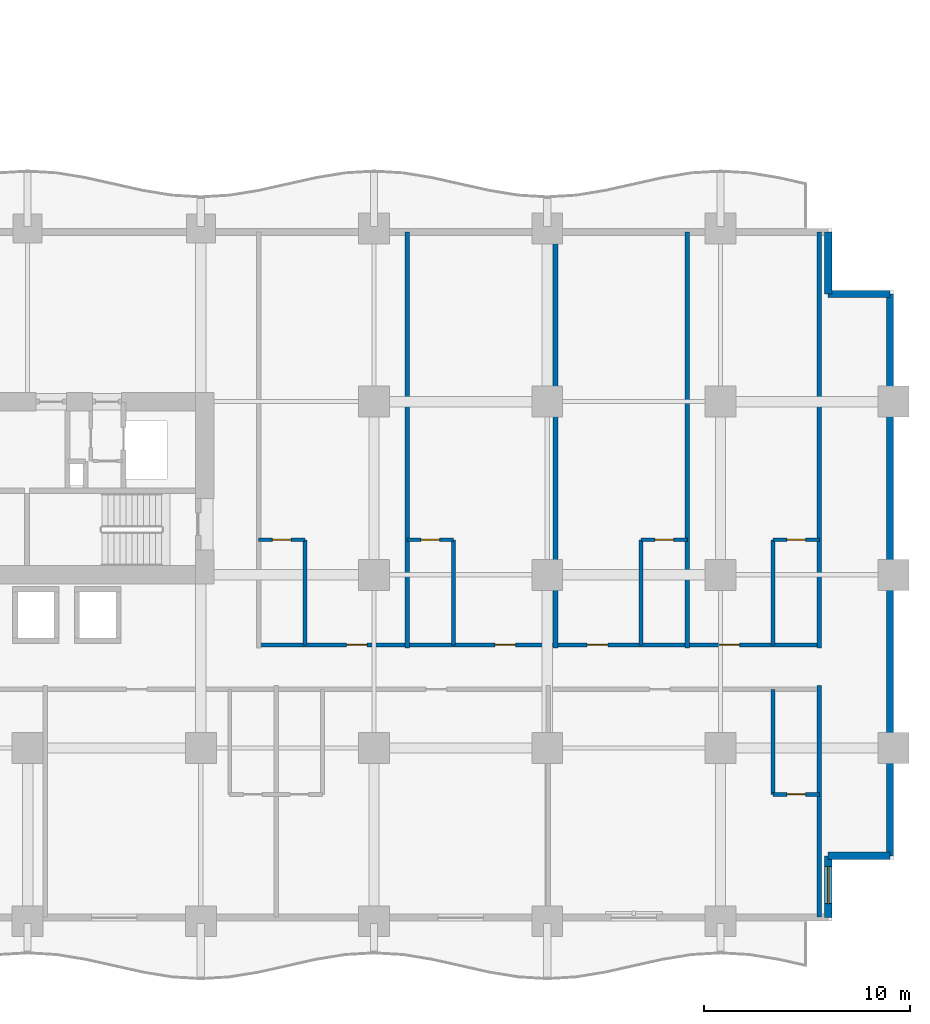
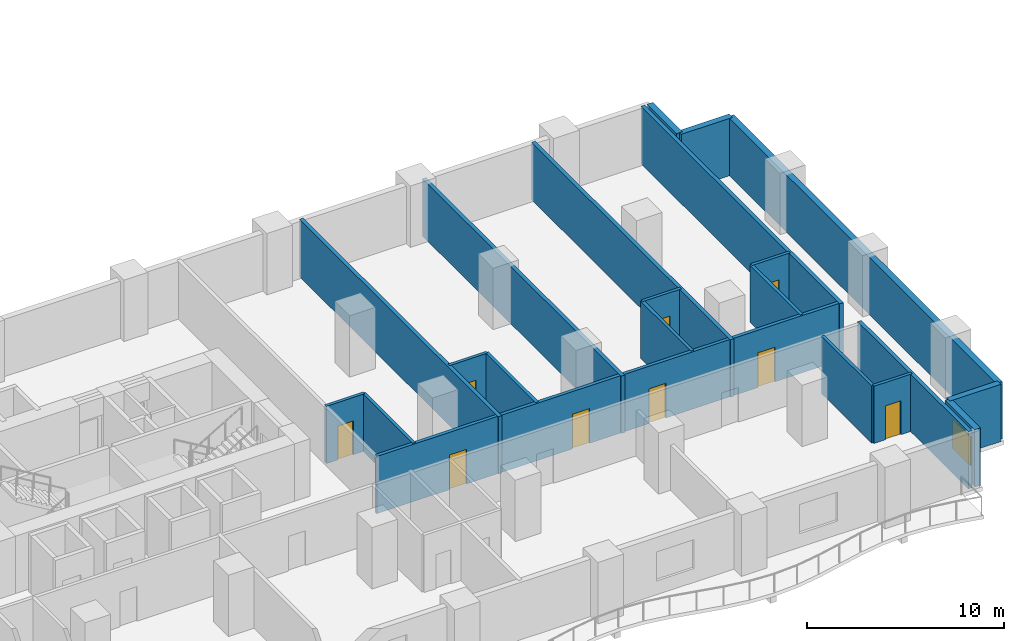
# One storey, part 15 of 24: 21 walls, 9 doors, 1 window, 10 openings.
"""IFC4 building model written with IfcOpenShell, lengths in metres."""

import ifcopenshell
import ifcopenshell.guid

model = None  # the IFC model being written
_history = None  # IfcOwnerHistory: only IFC2X3 demands one
_inside = {}  # id of a spatial element -> (the spatial element, [elements in it])
_under = {}  # id of a project, library or spatial element -> (it, [spatial elements below it])
_declared = {}  # id of a project -> (the project, [libraries it declares])
_typed = {}  # id of a type object -> (the type object, [elements of that type])
_made_of = {}  # id of a material, layer set ... -> (it, [elements and type objects made of it])


def new_model(schema):
    """Start an empty IFC model of exactly this schema.

    Asked for "IFC4X3", IfcOpenShell would pick the latest addendum, in which some entities
    have other attributes; the version numbers below select the first issue.
    IFC2X3 requires an IfcOwnerHistory on every rooted entity: one is made here for all.
    """
    global model, _history
    if schema == "IFC4X3":
        model = ifcopenshell.file(schema_version=(4, 3, 0, 0))
    else:
        model = ifcopenshell.file(schema=schema)
    _inside.clear()
    _under.clear()
    _declared.clear()
    _typed.clear()
    _made_of.clear()
    _history = None
    if model.schema == "IFC2X3":
        org = make("IfcOrganization", Name="unknown")
        user = make(
            "IfcPersonAndOrganization",
            ThePerson=make("IfcPerson", FamilyName="unknown"),
            TheOrganization=org,
        )
        app = make(
            "IfcApplication",
            ApplicationDeveloper=org,
            Version="unknown",
            ApplicationFullName="unknown",
            ApplicationIdentifier="unknown",
        )
        _history = make(
            "IfcOwnerHistory",
            OwningUser=user,
            OwningApplication=app,
            ChangeAction="ADDED",
            CreationDate=0,
        )
    return model


def make(cls, **values):
    """One entity of the class cls with the attributes given. An attribute that is None is left unset."""
    return model.create_entity(
        cls, **{name: value for name, value in values.items() if value is not None}
    )


def rooted(cls, **values):
    """An entity with a GlobalId (a new one), such as an element, a storey or a relation."""
    return make(cls, GlobalId=ifcopenshell.guid.new(), OwnerHistory=_history, **values)


def si_unit(unit_type, name, prefix=None):
    """IfcSIUnit, for example si_unit("LENGTHUNIT", "METRE", prefix="MILLI")."""
    return make("IfcSIUnit", UnitType=unit_type, Prefix=prefix, Name=name)


def assignment(units):
    """IfcUnitAssignment: the units of a project."""
    return None if units is None else make("IfcUnitAssignment", Units=units)


def point(xyz):
    """IfcCartesianPoint."""
    return None if xyz is None else make("IfcCartesianPoint", Coordinates=xyz)


def direction(xyz):
    """IfcDirection."""
    return None if xyz is None else make("IfcDirection", DirectionRatios=xyz)


def frame(location, z_axis=None, x_axis=None):
    """IfcAxis2Placement3D, a coordinate frame: its origin and axes. An axis left out is left unset."""
    return make(
        "IfcAxis2Placement3D",
        Location=point(location),
        Axis=direction(z_axis),
        RefDirection=direction(x_axis),
    )


def frame_2d(location, x_axis=None):
    """IfcAxis2Placement2D, a coordinate frame in the plane: its origin and x axis."""
    return make(
        "IfcAxis2Placement2D", Location=point(location), RefDirection=direction(x_axis)
    )


def origin():
    """The frame at (0, 0, 0) with its axes left unset."""
    return frame((0.0, 0.0, 0.0))


def place(relative_to, where):
    """IfcLocalPlacement: puts the frame where relative to a parent placement (None: the world)."""
    return make(
        "IfcLocalPlacement", PlacementRelTo=relative_to, RelativePlacement=where
    )


def context(
    kind, dimensions, precision=None, world=None, true_north=None, identifier=None
):
    """IfcGeometricRepresentationContext, for example the 3D "Model" context."""
    return make(
        "IfcGeometricRepresentationContext",
        ContextIdentifier=identifier,
        ContextType=kind,
        CoordinateSpaceDimension=dimensions,
        Precision=precision,
        WorldCoordinateSystem=world,
        TrueNorth=true_north,
    )


def subcontext(parent, identifier, kind, view, scale=None):
    """IfcGeometricRepresentationSubContext, for example "Body" below "Model"."""
    return make(
        "IfcGeometricRepresentationSubContext",
        ContextIdentifier=identifier,
        ContextType=kind,
        ParentContext=parent,
        TargetScale=scale,
        TargetView=view,
    )


def project(units=None, contexts=None):
    """IfcProject with its units and contexts."""
    return rooted(
        "IfcProject",
        Name="project",
        RepresentationContexts=contexts,
        UnitsInContext=assignment(units),
    )


def spatial(cls, under=None, at=None, **own):
    """A site, building, storey or space (cls), placed at a placement, below another one or the project."""
    s = rooted(cls, ObjectPlacement=at, **own)
    if under is not None:
        _under.setdefault(under.id(), (under, []))[1].append(s)
    return s


def profile(cls, at=None, kind="AREA", **sizes):
    """A parametric profile (cls). Its sizes go by their IFC names, for example OverallWidth=200.0."""
    return make(cls, ProfileType=kind, Position=at, **sizes)


def rectangle(**sizes):
    """IfcRectangleProfileDef."""
    return profile("IfcRectangleProfileDef", **sizes)


def extrude(swept, where, along, depth):
    """IfcExtrudedAreaSolid: the profile swept, set in the frame where, extruded along a direction by depth."""
    return make(
        "IfcExtrudedAreaSolid",
        SweptArea=swept,
        Position=where,
        ExtrudedDirection=direction(along),
        Depth=depth,
    )


def shape(context_of_items, identifier, shape_type, items):
    """IfcShapeRepresentation: the items that make up one representation, for example the "Body"."""
    return make(
        "IfcShapeRepresentation",
        ContextOfItems=context_of_items,
        RepresentationIdentifier=identifier,
        RepresentationType=shape_type,
        Items=items,
    )


def material(Name=None, Category=None):
    """IfcMaterial."""
    return make("IfcMaterial", Name=Name, Category=Category)


def layer(
    of_material, thickness, ventilated=None, Name=None, Category=None, Priority=None
):
    """IfcMaterialLayer: one layer of a wall or slab, of a material (None: an air gap)."""
    return make(
        "IfcMaterialLayer",
        Material=of_material,
        LayerThickness=thickness,
        IsVentilated=ventilated,
        Name=Name,
        Category=Category,
        Priority=Priority,
    )


def layer_set(layers, Name=None):
    """IfcMaterialLayerSet."""
    return make("IfcMaterialLayerSet", MaterialLayers=layers, LayerSetName=Name)


def made_of(thing, what):
    """Note that an element or type object is made of a material, layer set ...; save() writes the relation."""
    if what is not None:
        _made_of.setdefault(what.id(), (what, []))[1].append(thing)
    return thing


def type_object(cls, material=None, **own):
    """A type object (cls), such as IfcWallType, which elements share."""
    return made_of(rooted(cls, **own), material)


def element(
    cls,
    number,
    at=None,
    inside=None,
    cuts=None,
    type_object=None,
    material=None,
    context=None,
    identifier="Body",
    shape_type=None,
    held_by="IfcProductDefinitionShape",
    body=None,
    shapes=None,
    **own,
):
    """One element of the class cls, such as IfcWall. Its Tag is "e" and its number.

    at: its placement. inside: the storey or other place that contains it. cuts: it is an
    opening in that element (IfcRelVoidsElement). A single representation is given by context,
    identifier, shape_type and body (its items); several are given by shapes. held_by: the class
    of the entity that holds the representations. save() writes the other relations.
    """
    e = rooted(cls, Tag="e%d" % number, ObjectPlacement=at, **own)
    if body is not None:
        shapes = [shape(context, identifier, shape_type, body)]
    if shapes is not None:
        e.Representation = make(held_by, Representations=shapes)
    if inside is not None:
        _inside.setdefault(inside.id(), (inside, []))[1].append(e)
    if cuts is not None:
        rooted(
            "IfcRelVoidsElement", RelatingBuildingElement=cuts, RelatedOpeningElement=e
        )
    if type_object is not None:
        _typed.setdefault(type_object.id(), (type_object, []))[1].append(e)
    return made_of(e, material)


def fill(opening, filler):
    """IfcRelFillsElement: the door or window that sits in an opening."""
    return rooted(
        "IfcRelFillsElement",
        RelatingOpeningElement=opening,
        RelatedBuildingElement=filler,
    )


def aggregate(whole, parts):
    """IfcRelAggregates: a whole, such as a stair, and the parts it consists of."""
    return rooted("IfcRelAggregates", RelatingObject=whole, RelatedObjects=parts)


def save(model, path):
    """Write the relations noted so far, then the file.

    IfcRelAggregates (storeys below a building ...), IfcRelContainedInSpatialStructure (elements
    in a storey), IfcRelDefinesByType, IfcRelAssociatesMaterial and IfcRelDeclares: one each for
    every whole, place, type object, material and project.
    """
    for whole, parts in _under.values():
        aggregate(whole, parts)
    for where, things in _inside.values():
        rooted(
            "IfcRelContainedInSpatialStructure",
            RelatedElements=things,
            RelatingStructure=where,
        )
    for kind, things in _typed.values():
        rooted("IfcRelDefinesByType", RelatedObjects=things, RelatingType=kind)
    for what, things in _made_of.values():
        rooted("IfcRelAssociatesMaterial", RelatedObjects=things, RelatingMaterial=what)
    for by, libraries in _declared.values():
        rooted("IfcRelDeclares", RelatingContext=by, RelatedDefinitions=libraries)
    model.write(path)


model = new_model("IFC4")

# Units and contexts
model_context = context("Model", 3, precision=1e-05, world=origin(), true_north=direction((0.0, 1.0)))
body_context = subcontext(model_context, "Body", "Model", "MODEL_VIEW")
ifc_project = project(units=[si_unit("LENGTHUNIT", "METRE"), si_unit("AREAUNIT", "SQUARE_METRE"), si_unit("VOLUMEUNIT", "CUBIC_METRE"), si_unit("PLANEANGLEUNIT", "RADIAN"), si_unit("MASSUNIT", "GRAM", prefix="KILO")], contexts=[model_context])

# Site, building, storey
site_placement = place(None, origin())
site = spatial("IfcSite", under=ifc_project, at=site_placement, CompositionType="ELEMENT")
building_placement = place(site_placement, origin())
building = spatial("IfcBuilding", under=site, at=building_placement, Name="Koriwani Terraces Tower", CompositionType="ELEMENT")
storey_placement = place(building_placement, frame((0.0, 0.0, 47.199951171875)))
storey = spatial("IfcBuildingStorey", under=building, at=storey_placement, Name="L10", CompositionType="ELEMENT", Elevation=47.199951171875)

# Wall, openings, doors
ifc_material_1 = material(Name="Autoclaved Cellular Concrete Blockwork", Category="masonry")
ifc_layer_1 = layer(ifc_material_1, 0.199951171875, Name="Autoclaved Cellular Concrete Blockwork")
ifc_layer_set_1 = layer_set([ifc_layer_1], Name="Autoclaved Cellular Concrete Blockwork")
wall_type_1 = type_object("IfcWallType", Name="WALL_CORRIDOR_200", PredefinedType="PARTITIONING", material=ifc_layer_set_1)
wall_1_placement = place(storey_placement, frame((61.60009765625, 13.39990234375, 0.0), z_axis=(0.0, 0.0, 1.0), x_axis=(1.0, 0.0, 0.0)))
wall_1 = element("IfcWall", 1, at=wall_1_placement, inside=storey, type_object=wall_type_1, Name="L10 Interior Wall WCOR-L10-SE-0", PredefinedType="PARTITIONING", context=body_context, shape_type="SweptSolid", body=[
    extrude(rectangle(XDim=27.199951171875, YDim=0.199951171875, at=frame_2d((13.60009765625, 0.0))), origin(), (0.0, 0.0, 1.0), 3.550048828125),
])
opening_1_placement = place(wall_1_placement, frame((4.264892578125, 0.0, 0.0)))
opening_1 = element("IfcOpeningElement", 2, at=opening_1_placement, cuts=wall_1, Name="Opening D-05", PredefinedType="OPENING", context=body_context, shape_type="SweptSolid", body=[
    extrude(rectangle(XDim=1.0, YDim=2.14990234375, at=frame_2d((0.5, 1.074951171875))), frame((0.0, 0.10986328125, 0.0), z_axis=(0.0, -1.0, 0.0), x_axis=(1.0, 0.0, 0.0)), (0.0, 0.0, 1.0), 0.219970703125),
])
opening_2_placement = place(wall_1_placement, frame((11.465087890625, 0.0, 0.0)))
opening_2 = element("IfcOpeningElement", 3, at=opening_2_placement, cuts=wall_1, Name="Opening D-05", PredefinedType="OPENING", context=body_context, shape_type="SweptSolid", body=[
    extrude(rectangle(XDim=1.0, YDim=2.14990234375, at=frame_2d((0.5, 1.074951171875))), frame((0.0, 0.10986328125, 0.0), z_axis=(0.0, -1.0, 0.0), x_axis=(1.0, 0.0, 0.0)), (0.0, 0.0, 1.0), 0.219970703125),
])
opening_3_placement = place(wall_1_placement, frame((15.93505859375, 0.0, 0.0)))
opening_3 = element("IfcOpeningElement", 4, at=opening_3_placement, cuts=wall_1, Name="Opening D-05", PredefinedType="OPENING", context=body_context, shape_type="SweptSolid", body=[
    extrude(rectangle(XDim=1.0, YDim=2.14990234375, at=frame_2d((0.5, 1.074951171875))), frame((0.0, 0.10986328125, 0.0), z_axis=(0.0, -1.0, 0.0), x_axis=(1.0, 0.0, 0.0)), (0.0, 0.0, 1.0), 0.219970703125),
])
opening_4_placement = place(wall_1_placement, frame((22.3349609375, 0.0, 0.0)))
opening_4 = element("IfcOpeningElement", 5, at=opening_4_placement, cuts=wall_1, Name="Opening D-05", PredefinedType="OPENING", context=body_context, shape_type="SweptSolid", body=[
    extrude(rectangle(XDim=1.0, YDim=2.14990234375, at=frame_2d((0.5, 1.074951171875))), frame((0.0, 0.10986328125, 0.0), z_axis=(0.0, -1.0, 0.0), x_axis=(1.0, 0.0, 0.0)), (0.0, 0.0, 1.0), 0.219970703125),
])
ifc_material_2 = material(Name="Architectural Oak Fire Door", Category="wood")
door_type_1 = type_object("IfcDoorType", Name="DOOR_SUITE_ENTRY_1000X2150", OperationType="NOTDEFINED", PredefinedType="DOOR", material=ifc_material_2)
door_1_placement = place(opening_1_placement, origin())
door_1 = element("IfcDoor", 6, at=door_1_placement, inside=storey, type_object=door_type_1, Name="Luxury Hotel Suite 10SE1 Entrance Door", OperationType="SINGLE_SWING_RIGHT", OverallHeight=2.14990234375, OverallWidth=1.0, PredefinedType="DOOR", context=body_context, shape_type="SweptSolid", body=[
    extrude(rectangle(XDim=1.0, YDim=2.14990234375, at=frame_2d((0.5, 1.074951171875))), frame((0.0, 0.02490234375, 0.0), z_axis=(0.0, -1.0, 0.0), x_axis=(1.0, 0.0, 0.0)), (0.0, 0.0, 1.0), 0.050048828125),
])
fill(opening_1, door_1)
door_2_placement = place(opening_2_placement, origin())
door_2 = element("IfcDoor", 7, at=door_2_placement, inside=storey, type_object=door_type_1, Name="Luxury Hotel Suite 10SE2 Entrance Door", OperationType="SINGLE_SWING_RIGHT", OverallHeight=2.14990234375, OverallWidth=1.0, PredefinedType="DOOR", context=body_context, shape_type="SweptSolid", body=[
    extrude(rectangle(XDim=1.0, YDim=2.14990234375, at=frame_2d((0.5, 1.074951171875))), frame((0.0, 0.02490234375, 0.0), z_axis=(0.0, -1.0, 0.0), x_axis=(1.0, 0.0, 0.0)), (0.0, 0.0, 1.0), 0.050048828125),
])
fill(opening_2, door_2)
door_3_placement = place(opening_3_placement, origin())
door_3 = element("IfcDoor", 8, at=door_3_placement, inside=storey, type_object=door_type_1, Name="Luxury Hotel Suite 10SE3 Entrance Door", OperationType="SINGLE_SWING_RIGHT", OverallHeight=2.14990234375, OverallWidth=1.0, PredefinedType="DOOR", context=body_context, shape_type="SweptSolid", body=[
    extrude(rectangle(XDim=1.0, YDim=2.14990234375, at=frame_2d((0.5, 1.074951171875))), frame((0.0, 0.02490234375, 0.0), z_axis=(0.0, -1.0, 0.0), x_axis=(1.0, 0.0, 0.0)), (0.0, 0.0, 1.0), 0.050048828125),
])
fill(opening_3, door_3)
door_4_placement = place(opening_4_placement, origin())
door_4 = element("IfcDoor", 9, at=door_4_placement, inside=storey, type_object=door_type_1, Name="Luxury Hotel Suite 10SE4 Entrance Door", OperationType="SINGLE_SWING_RIGHT", OverallHeight=2.14990234375, OverallWidth=1.0, PredefinedType="DOOR", context=body_context, shape_type="SweptSolid", body=[
    extrude(rectangle(XDim=1.0, YDim=2.14990234375, at=frame_2d((0.5, 1.074951171875))), frame((0.0, 0.02490234375, 0.0), z_axis=(0.0, -1.0, 0.0), x_axis=(1.0, 0.0, 0.0)), (0.0, 0.0, 1.0), 0.050048828125),
])
fill(opening_4, door_4)

# Walls
ifc_layer_2 = layer(ifc_material_1, 0.219970703125, Name="Autoclaved Cellular Concrete Blockwork")
ifc_layer_set_2 = layer_set([ifc_layer_2], Name="Autoclaved Cellular Concrete Blockwork")
wall_type_2 = type_object("IfcWallType", Name="WALL_DEMISING_220", PredefinedType="PARTITIONING", material=ifc_layer_set_2)
wall_2_placement = place(storey_placement, frame((88.800048828125, 0.199951171875, 0.0), z_axis=(0.0, 0.0, 1.0), x_axis=(0.0, 1.0, 0.0)))
element("IfcWall", 10, at=wall_2_placement, inside=storey, type_object=wall_type_2, Name="L10 Interior Wall WDEME-L10-SW", PredefinedType="PARTITIONING", context=body_context, shape_type="SweptSolid", body=[
    extrude(rectangle(XDim=11.22998046875, YDim=0.219970703125, at=frame_2d((5.614990234375, 0.0))), origin(), (0.0, 0.0, 1.0), 3.550048828125),
])
for number, where, z_axis, x_axis, name in (
    (11, (68.800048828125, 13.25, 0.0), (0.0, 0.0, 1.0), (0.0, 1.0, 0.0), "L10 Interior Wall WDEM-L10-SE-1"),
    (12, (76.0, 13.25, 0.0), (0.0, 0.0, 1.0), (0.0, 1.0, 0.0), "L10 Interior Wall WDEM-L10-SE-2"),
    (13, (82.39990234375, 13.25, 0.0), (0.0, 0.0, 1.0), (0.0, 1.0, 0.0), "L10 Interior Wall WDEM-L10-SE-3"),
    (14, (88.800048828125, 13.25, 0.0), (0.0, 0.0, 1.0), (0.0, 1.0, 0.0), "L10 Interior Wall WDEME-L10-SE"),
):
    element("IfcWall", number, at=place(storey_placement, frame(where, z_axis=z_axis, x_axis=x_axis)), inside=storey, type_object=wall_type_2, Name=name, PredefinedType="PARTITIONING", context=body_context, shape_type="SweptSolid", body=[
        extrude(rectangle(XDim=20.179931640625, YDim=0.219970703125, at=frame_2d((10.08984375, 0.0))), origin(), (0.0, 0.0, 1.0), 3.550048828125),
    ])
ifc_material_3 = material(Name="Concrete C50/60", Category="concrete")
ifc_layer_3 = layer(ifc_material_3, 0.35009765625, Name="Concrete C50/60")
ifc_layer_set_3 = layer_set([ifc_layer_3], Name="Concrete C50/60")
wall_type_3 = type_object("IfcWallType", Name="WALL_EXT_BRUTALIST_350", PredefinedType="STANDARD", material=ifc_layer_set_3)
for number, where, z_axis, x_axis, name in (
    (15, (89.22509765625, 33.425048828125, 0.0), (0.0, 0.0, 1.0), (0.0, -1.0, 0.0), "L10 Fair-Faced Brutalist Exterior Wall (N10)"),
    (16, (89.22509765625, 30.425048828125, 0.0), (0.0, 0.0, 1.0), (1.0, 0.0, 0.0), "L10 Fair-Faced Brutalist Exterior Wall (N11)"),
):
    element("IfcWall", number, at=place(storey_placement, frame(where, z_axis=z_axis, x_axis=x_axis)), inside=storey, type_object=wall_type_3, Name=name, PredefinedType="STANDARD", context=body_context, shape_type="SweptSolid", body=[
        extrude(rectangle(XDim=3.0, YDim=0.35009765625, at=frame_2d((1.5, 0.0))), origin(), (0.0, 0.0, 1.0), 3.550048828125),
    ])
wall_3_placement = place(storey_placement, frame((92.22509765625, 30.425048828125, 0.0), z_axis=(0.0, 0.0, 1.0), x_axis=(0.0, -1.0, 0.0)))
element("IfcWall", 17, at=wall_3_placement, inside=storey, type_object=wall_type_3, Name="L10 Fair-Faced Brutalist Exterior Wall (E_TIP)", PredefinedType="STANDARD", context=body_context, shape_type="SweptSolid", body=[
    extrude(rectangle(XDim=27.25, YDim=0.35009765625, at=frame_2d((13.625, 0.0))), origin(), (0.0, 0.0, 1.0), 3.550048828125),
])
wall_4_placement = place(storey_placement, frame((92.22509765625, 3.175048828125, 0.0), z_axis=(0.0, 0.0, 1.0), x_axis=(-1.0, 0.0, 0.0)))
element("IfcWall", 18, at=wall_4_placement, inside=storey, type_object=wall_type_3, Name="L10 Fair-Faced Brutalist Exterior Wall (N13)", PredefinedType="STANDARD", context=body_context, shape_type="SweptSolid", body=[
    extrude(rectangle(XDim=3.0, YDim=0.35009765625, at=frame_2d((1.5, 0.0))), origin(), (0.0, 0.0, 1.0), 3.550048828125),
])

# Wall, opening, window
wall_5_placement = place(storey_placement, frame((89.22509765625, 3.175048828125, 0.0), z_axis=(0.0, 0.0, 1.0), x_axis=(0.0, -1.0, 0.0)))
wall_5 = element("IfcWall", 19, at=wall_5_placement, inside=storey, type_object=wall_type_3, Name="L10 Fair-Faced Brutalist Exterior Wall (N14)", PredefinedType="STANDARD", context=body_context, shape_type="SweptSolid", body=[
    extrude(rectangle(XDim=3.0, YDim=0.35009765625, at=frame_2d((1.5, 0.0))), origin(), (0.0, 0.0, 1.0), 3.550048828125),
])
opening_5_placement = place(wall_5_placement, frame((0.5224609375, 0.0, 0.85009765625)))
opening_5 = element("IfcOpeningElement", 20, at=opening_5_placement, cuts=wall_5, Name="Opening W-04", PredefinedType="OPENING", context=body_context, shape_type="SweptSolid", body=[
    extrude(rectangle(XDim=1.800048828125, YDim=1.800048828125, at=frame_2d((0.89990234375, 0.89990234375))), frame((0.0, 0.18505859375, 0.0), z_axis=(0.0, -1.0, 0.0), x_axis=(1.0, 0.0, 0.0)), (0.0, 0.0, 1.0), 0.3701171875),
])
ifc_material_4 = material(Name="Tempered Laminated Low-E Glass", Category="glass")
window_type = type_object("IfcWindowType", Name="WIN_RES_BED_1800X1800", PartitioningType="DOUBLE_PANEL_VERTICAL", PredefinedType="WINDOW", material=ifc_material_4)
window_placement = place(opening_5_placement, origin())
window = element("IfcWindow", 21, at=window_placement, inside=storey, type_object=window_type, Name="L10 Exterior Window (N14-R59)", OverallHeight=1.800048828125, OverallWidth=1.800048828125, PartitioningType="SINGLE_PANEL", PredefinedType="WINDOW", context=body_context, shape_type="SweptSolid", body=[
    extrude(rectangle(XDim=1.800048828125, YDim=1.800048828125, at=frame_2d((0.89990234375, 0.89990234375))), frame((0.0, 0.030029296875, 0.0), z_axis=(0.0, -1.0, 0.0), x_axis=(1.0, 0.0, 0.0)), (0.0, 0.0, 1.0), 0.06005859375),
])
fill(opening_5, window)

# Wall, opening, door
ifc_material_5 = material(Name="Fire-Rated Acoustic Gypsum Partition", Category="masonry")
ifc_layer_4 = layer(ifc_material_5, 0.179931640625, Name="Fire-Rated Acoustic Gypsum Partition")
ifc_layer_set_4 = layer_set([ifc_layer_4], Name="Fire-Rated Acoustic Gypsum Partition")
wall_type_4 = type_object("IfcWallType", Name="WALL_PLUMBING_180", PredefinedType="PLUMBINGWALL", material=ifc_layer_set_4)
wall_6_placement = place(storey_placement, frame((86.550048828125, 6.14990234375, 0.0), z_axis=(0.0, 0.0, 1.0), x_axis=(1.0, 0.0, 0.0)))
wall_6 = element("IfcWall", 22, at=wall_6_placement, inside=storey, type_object=wall_type_4, Name="L10 Interior Wall WBTH1-L10-SW-5", PredefinedType="PLUMBINGWALL", context=body_context, shape_type="SweptSolid", body=[
    extrude(rectangle(XDim=2.25, YDim=0.179931640625, at=frame_2d((1.125, 0.0))), origin(), (0.0, 0.0, 1.0), 3.550048828125),
])
opening_6_placement = place(wall_6_placement, frame((0.675048828125, 0.0, 0.0)))
opening_6 = element("IfcOpeningElement", 23, at=opening_6_placement, cuts=wall_6, Name="Opening D-07", PredefinedType="OPENING", context=body_context, shape_type="SweptSolid", body=[
    extrude(rectangle(XDim=0.89990234375, YDim=2.10009765625, at=frame_2d((0.449951171875, 1.050048828125))), frame((0.0, 0.10009765625, 0.0), z_axis=(0.0, -1.0, 0.0), x_axis=(1.0, 0.0, 0.0)), (0.0, 0.0, 1.0), 0.199951171875),
])
door_type_2 = type_object("IfcDoorType", Name="DOOR_BATH_INT_900X2100", OperationType="NOTDEFINED", PredefinedType="DOOR", material=ifc_material_2)
door_5_placement = place(opening_6_placement, origin())
door_5 = element("IfcDoor", 24, at=door_5_placement, inside=storey, type_object=door_type_2, Name="En-Suite Bathroom 10SW6 Door", OperationType="SINGLE_SWING_LEFT", OverallHeight=2.10009765625, OverallWidth=0.89990234375, PredefinedType="DOOR", context=body_context, shape_type="SweptSolid", body=[
    extrude(rectangle(XDim=0.89990234375, YDim=2.10009765625, at=frame_2d((0.449951171875, 1.050048828125))), frame((0.0, 0.02490234375, 0.0), z_axis=(0.0, -1.0, 0.0), x_axis=(1.0, 0.0, 0.0)), (0.0, 0.0, 1.0), 0.050048828125),
])
fill(opening_6, door_5)

# Wall
wall_7_placement = place(storey_placement, frame((86.550048828125, 6.14990234375, 0.0), z_axis=(0.0, 0.0, 1.0), x_axis=(0.0, 1.0, 0.0)))
element("IfcWall", 25, at=wall_7_placement, inside=storey, type_object=wall_type_4, Name="L10 Interior Wall WBTH2-L10-SW-5", PredefinedType="PLUMBINGWALL", context=body_context, shape_type="SweptSolid", body=[
    extrude(rectangle(XDim=5.10009765625, YDim=0.179931640625, at=frame_2d((2.550048828125, 0.0))), origin(), (0.0, 0.0, 1.0), 3.550048828125),
])

# Wall, opening, door
wall_8_placement = place(storey_placement, frame((61.60009765625, 18.5, 0.0), z_axis=(0.0, 0.0, 1.0), x_axis=(1.0, 0.0, 0.0)))
wall_8 = element("IfcWall", 26, at=wall_8_placement, inside=storey, type_object=wall_type_4, Name="L10 Interior Wall WBTH1-L10-SE-0", PredefinedType="PLUMBINGWALL", context=body_context, shape_type="SweptSolid", body=[
    extrude(rectangle(XDim=2.25, YDim=0.179931640625, at=frame_2d((1.125, 0.0))), origin(), (0.0, 0.0, 1.0), 3.550048828125),
])
opening_7_placement = place(wall_8_placement, frame((0.675048828125, 0.0, 0.0)))
opening_7 = element("IfcOpeningElement", 27, at=opening_7_placement, cuts=wall_8, Name="Opening D-07", PredefinedType="OPENING", context=body_context, shape_type="SweptSolid", body=[
    extrude(rectangle(XDim=0.89990234375, YDim=2.10009765625, at=frame_2d((0.449951171875, 1.050048828125))), frame((0.0, 0.10009765625, 0.0), z_axis=(0.0, -1.0, 0.0), x_axis=(1.0, 0.0, 0.0)), (0.0, 0.0, 1.0), 0.199951171875),
])
door_6_placement = place(opening_7_placement, origin())
door_6 = element("IfcDoor", 28, at=door_6_placement, inside=storey, type_object=door_type_2, Name="En-Suite Bathroom 10SE1 Door", OperationType="SINGLE_SWING_LEFT", OverallHeight=2.10009765625, OverallWidth=0.89990234375, PredefinedType="DOOR", context=body_context, shape_type="SweptSolid", body=[
    extrude(rectangle(XDim=0.89990234375, YDim=2.10009765625, at=frame_2d((0.449951171875, 1.050048828125))), frame((0.0, 0.02490234375, 0.0), z_axis=(0.0, -1.0, 0.0), x_axis=(1.0, 0.0, 0.0)), (0.0, 0.0, 1.0), 0.050048828125),
])
fill(opening_7, door_6)

# Wall
wall_9_placement = place(storey_placement, frame((63.85009765625, 13.39990234375, 0.0), z_axis=(0.0, 0.0, 1.0), x_axis=(0.0, 1.0, 0.0)))
element("IfcWall", 29, at=wall_9_placement, inside=storey, type_object=wall_type_4, Name="L10 Interior Wall WBTH2-L10-SE-0", PredefinedType="PLUMBINGWALL", context=body_context, shape_type="SweptSolid", body=[
    extrude(rectangle(XDim=5.10009765625, YDim=0.179931640625, at=frame_2d((2.550048828125, 0.0))), origin(), (0.0, 0.0, 1.0), 3.550048828125),
])

# Wall, opening, door
wall_10_placement = place(storey_placement, frame((68.800048828125, 18.5, 0.0), z_axis=(0.0, 0.0, 1.0), x_axis=(1.0, 0.0, 0.0)))
wall_10 = element("IfcWall", 30, at=wall_10_placement, inside=storey, type_object=wall_type_4, Name="L10 Interior Wall WBTH1-L10-SE-1", PredefinedType="PLUMBINGWALL", context=body_context, shape_type="SweptSolid", body=[
    extrude(rectangle(XDim=2.25, YDim=0.179931640625, at=frame_2d((1.125, 0.0))), origin(), (0.0, 0.0, 1.0), 3.550048828125),
])
opening_8_placement = place(wall_10_placement, frame((0.675048828125, 0.0, 0.0)))
opening_8 = element("IfcOpeningElement", 31, at=opening_8_placement, cuts=wall_10, Name="Opening D-07", PredefinedType="OPENING", context=body_context, shape_type="SweptSolid", body=[
    extrude(rectangle(XDim=0.89990234375, YDim=2.10009765625, at=frame_2d((0.449951171875, 1.050048828125))), frame((0.0, 0.10009765625, 0.0), z_axis=(0.0, -1.0, 0.0), x_axis=(1.0, 0.0, 0.0)), (0.0, 0.0, 1.0), 0.199951171875),
])
door_7_placement = place(opening_8_placement, origin())
door_7 = element("IfcDoor", 32, at=door_7_placement, inside=storey, type_object=door_type_2, Name="En-Suite Bathroom 10SE2 Door", OperationType="SINGLE_SWING_LEFT", OverallHeight=2.10009765625, OverallWidth=0.89990234375, PredefinedType="DOOR", context=body_context, shape_type="SweptSolid", body=[
    extrude(rectangle(XDim=0.89990234375, YDim=2.10009765625, at=frame_2d((0.449951171875, 1.050048828125))), frame((0.0, 0.02490234375, 0.0), z_axis=(0.0, -1.0, 0.0), x_axis=(1.0, 0.0, 0.0)), (0.0, 0.0, 1.0), 0.050048828125),
])
fill(opening_8, door_7)

# Wall
wall_11_placement = place(storey_placement, frame((71.050048828125, 13.39990234375, 0.0), z_axis=(0.0, 0.0, 1.0), x_axis=(0.0, 1.0, 0.0)))
element("IfcWall", 33, at=wall_11_placement, inside=storey, type_object=wall_type_4, Name="L10 Interior Wall WBTH2-L10-SE-1", PredefinedType="PLUMBINGWALL", context=body_context, shape_type="SweptSolid", body=[
    extrude(rectangle(XDim=5.10009765625, YDim=0.179931640625, at=frame_2d((2.550048828125, 0.0))), origin(), (0.0, 0.0, 1.0), 3.550048828125),
])

# Wall, opening, door
wall_12_placement = place(storey_placement, frame((80.14990234375, 18.5, 0.0), z_axis=(0.0, 0.0, 1.0), x_axis=(1.0, 0.0, 0.0)))
wall_12 = element("IfcWall", 34, at=wall_12_placement, inside=storey, type_object=wall_type_4, Name="L10 Interior Wall WBTH1-L10-SE-2", PredefinedType="PLUMBINGWALL", context=body_context, shape_type="SweptSolid", body=[
    extrude(rectangle(XDim=2.25, YDim=0.179931640625, at=frame_2d((1.125, 0.0))), origin(), (0.0, 0.0, 1.0), 3.550048828125),
])
opening_9_placement = place(wall_12_placement, frame((0.675048828125, 0.0, 0.0)))
opening_9 = element("IfcOpeningElement", 35, at=opening_9_placement, cuts=wall_12, Name="Opening D-07", PredefinedType="OPENING", context=body_context, shape_type="SweptSolid", body=[
    extrude(rectangle(XDim=0.89990234375, YDim=2.10009765625, at=frame_2d((0.449951171875, 1.050048828125))), frame((0.0, 0.10009765625, 0.0), z_axis=(0.0, -1.0, 0.0), x_axis=(1.0, 0.0, 0.0)), (0.0, 0.0, 1.0), 0.199951171875),
])
door_8_placement = place(opening_9_placement, origin())
door_8 = element("IfcDoor", 36, at=door_8_placement, inside=storey, type_object=door_type_2, Name="En-Suite Bathroom 10SE3 Door", OperationType="SINGLE_SWING_LEFT", OverallHeight=2.10009765625, OverallWidth=0.89990234375, PredefinedType="DOOR", context=body_context, shape_type="SweptSolid", body=[
    extrude(rectangle(XDim=0.89990234375, YDim=2.10009765625, at=frame_2d((0.449951171875, 1.050048828125))), frame((0.0, 0.02490234375, 0.0), z_axis=(0.0, -1.0, 0.0), x_axis=(1.0, 0.0, 0.0)), (0.0, 0.0, 1.0), 0.050048828125),
])
fill(opening_9, door_8)

# Wall
wall_13_placement = place(storey_placement, frame((80.14990234375, 13.39990234375, 0.0), z_axis=(0.0, 0.0, 1.0), x_axis=(0.0, 1.0, 0.0)))
element("IfcWall", 37, at=wall_13_placement, inside=storey, type_object=wall_type_4, Name="L10 Interior Wall WBTH2-L10-SE-2", PredefinedType="PLUMBINGWALL", context=body_context, shape_type="SweptSolid", body=[
    extrude(rectangle(XDim=5.10009765625, YDim=0.179931640625, at=frame_2d((2.550048828125, 0.0))), origin(), (0.0, 0.0, 1.0), 3.550048828125),
])

# Wall, opening, door
wall_14_placement = place(storey_placement, frame((86.550048828125, 18.5, 0.0), z_axis=(0.0, 0.0, 1.0), x_axis=(1.0, 0.0, 0.0)))
wall_14 = element("IfcWall", 38, at=wall_14_placement, inside=storey, type_object=wall_type_4, Name="L10 Interior Wall WBTH1-L10-SE-3", PredefinedType="PLUMBINGWALL", context=body_context, shape_type="SweptSolid", body=[
    extrude(rectangle(XDim=2.25, YDim=0.179931640625, at=frame_2d((1.125, 0.0))), origin(), (0.0, 0.0, 1.0), 3.550048828125),
])
opening_10_placement = place(wall_14_placement, frame((0.675048828125, 0.0, 0.0)))
opening_10 = element("IfcOpeningElement", 39, at=opening_10_placement, cuts=wall_14, Name="Opening D-07", PredefinedType="OPENING", context=body_context, shape_type="SweptSolid", body=[
    extrude(rectangle(XDim=0.89990234375, YDim=2.10009765625, at=frame_2d((0.449951171875, 1.050048828125))), frame((0.0, 0.10009765625, 0.0), z_axis=(0.0, -1.0, 0.0), x_axis=(1.0, 0.0, 0.0)), (0.0, 0.0, 1.0), 0.199951171875),
])
door_9_placement = place(opening_10_placement, origin())
door_9 = element("IfcDoor", 40, at=door_9_placement, inside=storey, type_object=door_type_2, Name="En-Suite Bathroom 10SE4 Door", OperationType="SINGLE_SWING_LEFT", OverallHeight=2.10009765625, OverallWidth=0.89990234375, PredefinedType="DOOR", context=body_context, shape_type="SweptSolid", body=[
    extrude(rectangle(XDim=0.89990234375, YDim=2.10009765625, at=frame_2d((0.449951171875, 1.050048828125))), frame((0.0, 0.02490234375, 0.0), z_axis=(0.0, -1.0, 0.0), x_axis=(1.0, 0.0, 0.0)), (0.0, 0.0, 1.0), 0.050048828125),
])
fill(opening_10, door_9)

# Wall
wall_15_placement = place(storey_placement, frame((86.550048828125, 13.39990234375, 0.0), z_axis=(0.0, 0.0, 1.0), x_axis=(0.0, 1.0, 0.0)))
element("IfcWall", 41, at=wall_15_placement, inside=storey, type_object=wall_type_4, Name="L10 Interior Wall WBTH2-L10-SE-3", PredefinedType="PLUMBINGWALL", context=body_context, shape_type="SweptSolid", body=[
    extrude(rectangle(XDim=5.10009765625, YDim=0.179931640625, at=frame_2d((2.550048828125, 0.0))), origin(), (0.0, 0.0, 1.0), 3.550048828125),
])

save(model, "model.ifc")
